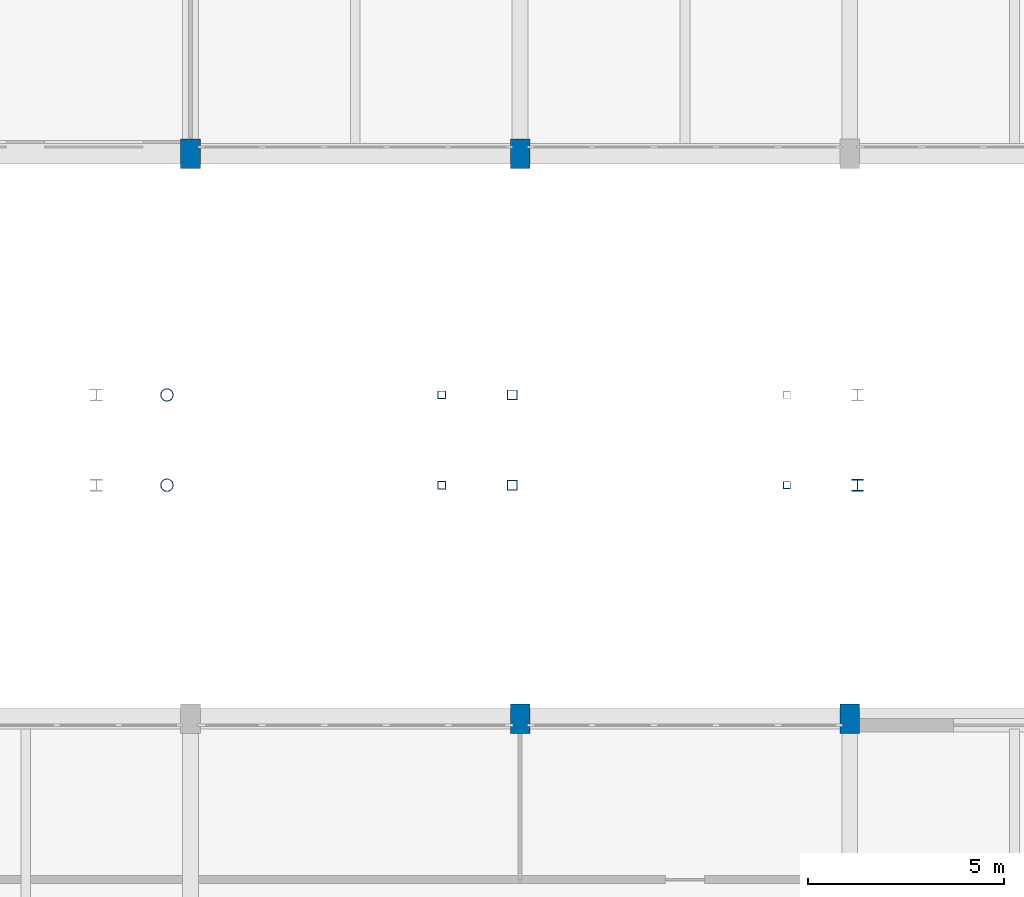
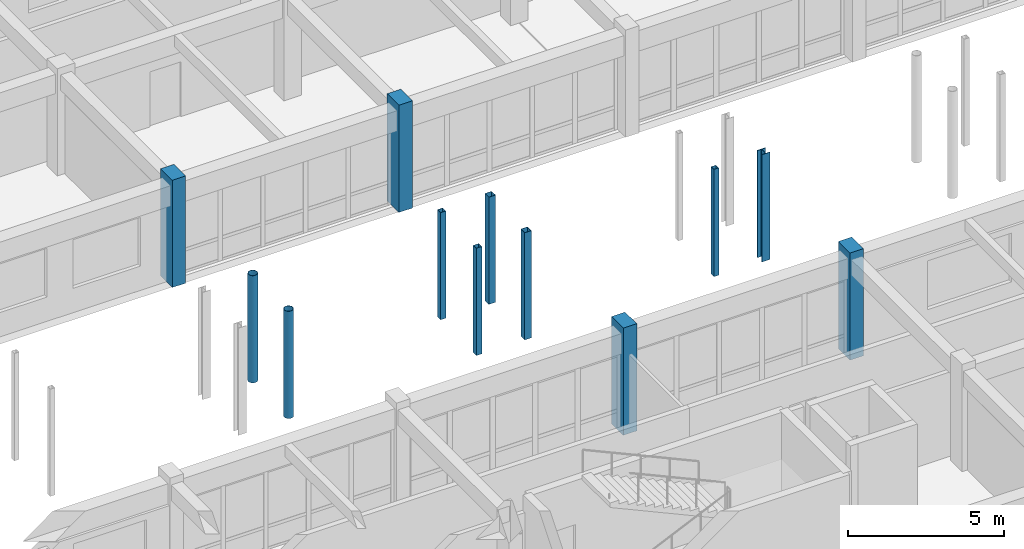
# One storey, part 12 of 147: 12 columns.
"""IFC4 building model written with IfcOpenShell, lengths in metres."""

from ifc_helpers import new_model, si_unit, direction, frame, origin, origin_2d, place, context, subcontext, project, spatial, rectangle, hollow_rectangle, hollow_circle, i_section, extrude, material, material_profile, profile_set, type_object, element, save


model = new_model("IFC4")

# Units and contexts
model_context = context("Model", 3, precision=1e-05, world=origin(), true_north=direction((0.0, 1.0)))
body_context = subcontext(model_context, "Body", "Model", "MODEL_VIEW")
ifc_project = project(units=[si_unit("LENGTHUNIT", "METRE"), si_unit("AREAUNIT", "SQUARE_METRE"), si_unit("VOLUMEUNIT", "CUBIC_METRE"), si_unit("PLANEANGLEUNIT", "RADIAN"), si_unit("MASSUNIT", "GRAM", prefix="KILO")], contexts=[model_context])

# Site, building, storey
site_placement = place(None, origin())
site = spatial("IfcSite", under=ifc_project, at=site_placement, CompositionType="ELEMENT")
building_placement = place(site_placement, origin())
building = spatial("IfcBuilding", under=site, at=building_placement, Name="Malvenik Polytechnic", CompositionType="ELEMENT")
storey_placement = place(building_placement, frame((0.0, 0.0, 5.10009765625)))
storey = spatial("IfcBuildingStorey", under=building, at=storey_placement, Name="L01", CompositionType="ELEMENT", Elevation=5.10009765625)

# Columns
ifc_material_1 = material(Name="Concrete C35/45", Category="concrete")
ifc_material_profile_1 = material_profile(ifc_material_1, rectangle(XDim=0.5, YDim=0.75, at=origin_2d()), Name="RC COL 750x500")
ifc_profile_set_1 = profile_set([ifc_material_profile_1], Name="Concrete C35/45")
column_type_1 = type_object("IfcColumnType", Name="STR-COL-C-14", PredefinedType="COLUMN", material=ifc_profile_set_1)
for number, where, z_axis, x_axis, name in (
    (1, (33.60009765625, 79.199951171875, 0.0), (0.0, 0.0, 1.0), (1.0, 0.0, 0.0), "Column C-14 L01 (33.6,79.2)"),
    (2, (42.0, 64.800048828125, 0.0), (0.0, 0.0, 1.0), (1.0, 0.0, 0.0), "Column C-14 L01 (42.0,64.8)"),
    (3, (42.0, 79.199951171875, 0.0), (0.0, 0.0, 1.0), (1.0, 0.0, 0.0), "Column C-14 L01 (42.0,79.2)"),
    (4, (50.39990234375, 64.800048828125, 0.0), (0.0, 0.0, 1.0), (1.0, 0.0, 0.0), "Column C-14 L01 (50.4,64.8)"),
):
    element("IfcColumn", number, at=place(storey_placement, frame(where, z_axis=z_axis, x_axis=x_axis)), inside=storey, type_object=column_type_1, Name=name, PredefinedType="COLUMN", context=body_context, shape_type="SweptSolid", body=[
        extrude(rectangle(XDim=0.5, YDim=0.75, at=origin_2d()), origin(), (0.0, 0.0, 1.0), 4.199951171875),
    ])
ifc_material_2 = material(Name="Steel S355J2H", Category="steel")
ifc_material_profile_2 = material_profile(ifc_material_2, hollow_rectangle(XDim=0.25, YDim=0.25, WallThickness=0.010009765625, at=origin_2d()), Name="SHS 250x250x10.0")
ifc_profile_set_2 = profile_set([ifc_material_profile_2], Name="Steel S355J2H")
column_type_2 = type_object("IfcColumnType", Name="STR-SCOL-SC-01", PredefinedType="COLUMN", material=ifc_profile_set_2)
for number, where, z_axis, x_axis, name in (
    (5, (41.800048828125, 70.75, 0.0), (0.0, 0.0, 1.0), (1.0, 0.0, 0.0), "Bridge-Ramp Support Column SC-01 L01"),
    (6, (41.800048828125, 73.050048828125, 0.0), (0.0, 0.0, 1.0), (1.0, 0.0, 0.0), "Bridge-Ramp Support Column SC-01 L01"),
):
    element("IfcColumn", number, at=place(storey_placement, frame(where, z_axis=z_axis, x_axis=x_axis)), inside=storey, type_object=column_type_2, Name=name, PredefinedType="COLUMN", context=body_context, shape_type="SweptSolid", body=[
        extrude(hollow_rectangle(XDim=0.25, YDim=0.25, WallThickness=0.010009765625, at=origin_2d()), origin(), (0.0, 0.0, 1.0), 4.199951171875),
    ])
ifc_material_profile_3 = material_profile(ifc_material_2, hollow_rectangle(XDim=0.199951171875, YDim=0.199951171875, WallThickness=0.010009765625, at=origin_2d()), Name="SHS 200x200x10.0")
ifc_profile_set_3 = profile_set([ifc_material_profile_3], Name="Steel S355J2H")
column_type_3 = type_object("IfcColumnType", Name="STR-SCOL-SC-02", PredefinedType="COLUMN", material=ifc_profile_set_3)
for number, where, z_axis, x_axis, name in (
    (7, (40.0, 70.75, 0.0), (0.0, 0.0, 1.0), (1.0, 0.0, 0.0), "Bridge-Ramp Support Column SC-02 L01"),
    (8, (40.0, 73.050048828125, 0.0), (0.0, 0.0, 1.0), (1.0, 0.0, 0.0), "Bridge-Ramp Support Column SC-02 L01"),
):
    element("IfcColumn", number, at=place(storey_placement, frame(where, z_axis=z_axis, x_axis=x_axis)), inside=storey, type_object=column_type_3, Name=name, PredefinedType="COLUMN", context=body_context, shape_type="SweptSolid", body=[
        extrude(hollow_rectangle(XDim=0.199951171875, YDim=0.199951171875, WallThickness=0.010009765625, at=origin_2d()), origin(), (0.0, 0.0, 1.0), 4.199951171875),
    ])
ifc_material_profile_4 = material_profile(ifc_material_2, hollow_circle(Radius=0.161865234375, WallThickness=0.012451171875, at=origin_2d()), Name="CHS 323.9x12.5")
ifc_profile_set_4 = profile_set([ifc_material_profile_4], Name="Steel S355J2H")
column_type_4 = type_object("IfcColumnType", Name="STR-SCOL-SC-04", PredefinedType="COLUMN", material=ifc_profile_set_4)
for number, where, z_axis, x_axis, name in (
    (9, (33.0, 70.75, 0.0), (0.0, 0.0, 1.0), (1.0, 0.0, 0.0), "Bridge-Ramp Support Column SC-04 L01"),
    (10, (33.0, 73.050048828125, 0.0), (0.0, 0.0, 1.0), (1.0, 0.0, 0.0), "Bridge-Ramp Support Column SC-04 L01"),
):
    element("IfcColumn", number, at=place(storey_placement, frame(where, z_axis=z_axis, x_axis=x_axis)), inside=storey, type_object=column_type_4, Name=name, PredefinedType="COLUMN", context=body_context, shape_type="SweptSolid", body=[
        extrude(hollow_circle(Radius=0.161865234375, WallThickness=0.012451171875, at=origin_2d()), origin(), (0.0, 0.0, 1.0), 4.199951171875),
    ])
ifc_material_3 = material(Name="Steel S355", Category="steel")
ifc_material_profile_5 = material_profile(ifc_material_3, i_section(OverallWidth=0.300048828125, OverallDepth=0.300048828125, WebThickness=0.010986328125, FlangeThickness=0.01904296875, FilletRadius=0.027099609375, at=origin_2d()), Name="HEB 300")
ifc_profile_set_5 = profile_set([ifc_material_profile_5], Name="Steel S355")
column_type_5 = type_object("IfcColumnType", Name="STR-SCOL-SC-05", PredefinedType="COLUMN", material=ifc_profile_set_5)
column_1_placement = place(storey_placement, frame((50.60009765625, 70.75, 0.0), z_axis=(0.0, 0.0, 1.0), x_axis=(1.0, 0.0, 0.0)))
element("IfcColumn", 11, at=column_1_placement, inside=storey, type_object=column_type_5, Name="Bridge-Ramp Support Column SC-05 L01", PredefinedType="COLUMN", context=body_context, shape_type="SweptSolid", body=[
    extrude(i_section(OverallWidth=0.300048828125, OverallDepth=0.300048828125, WebThickness=0.010986328125, FlangeThickness=0.01904296875, FilletRadius=0.027099609375, at=origin_2d()), origin(), (0.0, 0.0, 1.0), 4.199951171875),
])
ifc_material_profile_6 = material_profile(ifc_material_2, hollow_rectangle(XDim=0.179931640625, YDim=0.179931640625, WallThickness=0.008056640625, at=origin_2d()), Name="SHS 180x180x8.0")
ifc_profile_set_6 = profile_set([ifc_material_profile_6], Name="Steel S355J2H")
column_type_6 = type_object("IfcColumnType", Name="STR-SCOL-SC-06", PredefinedType="COLUMN", material=ifc_profile_set_6)
column_2_placement = place(storey_placement, frame((48.800048828125, 70.75, 0.0), z_axis=(0.0, 0.0, 1.0), x_axis=(1.0, 0.0, 0.0)))
element("IfcColumn", 12, at=column_2_placement, inside=storey, type_object=column_type_6, Name="Bridge-Ramp Support Column SC-06 L01", PredefinedType="COLUMN", context=body_context, shape_type="SweptSolid", body=[
    extrude(hollow_rectangle(XDim=0.179931640625, YDim=0.179931640625, WallThickness=0.008056640625, at=origin_2d()), origin(), (0.0, 0.0, 1.0), 4.199951171875),
])

save(model, "model.ifc")
